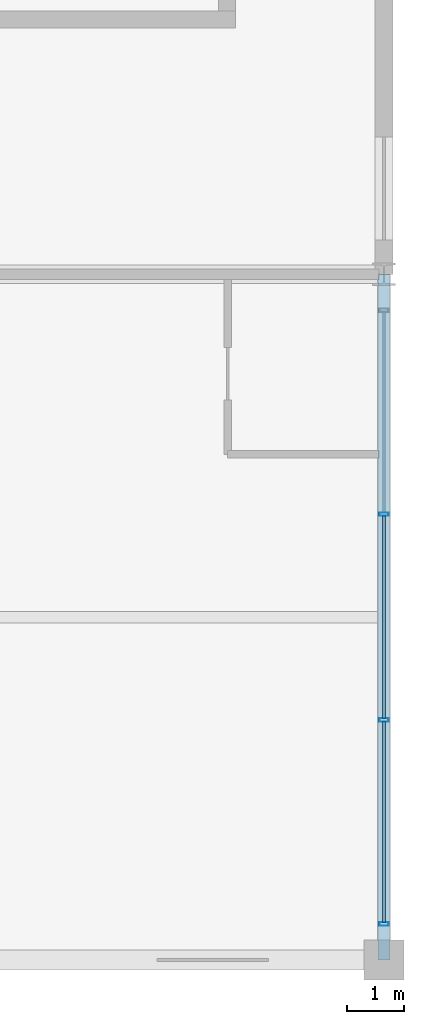
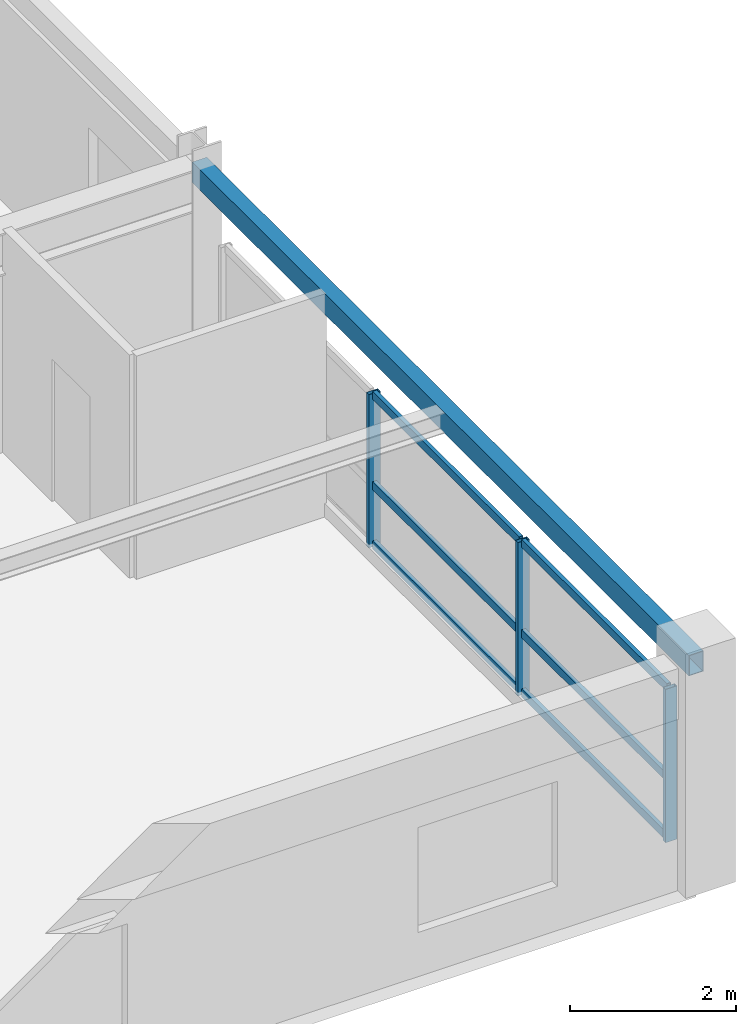
# One storey, part 10 of 22: 9 members, 1 beam, 1 element without a shape of its own.
"""IFC4 building model written with IfcOpenShell, lengths in metres."""

from ifc_helpers import new_model, si_unit, direction, frame, origin, origin_2d, place, context, subcontext, project, spatial, hollow_rectangle, extrude, material, material_profile, profile_set, type_object, element, aggregate, save


model = new_model("IFC4")

# Units and contexts
model_context = context("Model", 3, precision=1e-05, world=origin(), true_north=direction((0.0, 1.0)))
body_context = subcontext(model_context, "Body", "Model", "MODEL_VIEW")
ifc_project = project(units=[si_unit("LENGTHUNIT", "METRE"), si_unit("AREAUNIT", "SQUARE_METRE"), si_unit("VOLUMEUNIT", "CUBIC_METRE"), si_unit("PLANEANGLEUNIT", "RADIAN"), si_unit("MASSUNIT", "GRAM", prefix="KILO")], contexts=[model_context])

# Site, building, storey
site_placement = place(None, origin())
site = spatial("IfcSite", under=ifc_project, at=site_placement, CompositionType="ELEMENT")
building_placement = place(site_placement, origin())
building = spatial("IfcBuilding", under=site, at=building_placement, Name="Kaldorvane Square Convention Centre", CompositionType="ELEMENT")
storey_placement = place(building_placement, frame((0.0, 0.0, 63.600006103515625)))
storey = spatial("IfcBuildingStorey", under=building, at=storey_placement, Name="L15", CompositionType="ELEMENT", Elevation=63.600006103515625)

# Beam
ifc_material_1 = material(Name="Steel ASTM A500 Gr. C", Category="steel")
ifc_material_profile_1 = material_profile(ifc_material_1, hollow_rectangle(XDim=0.2032012939453125, YDim=0.3047943115234375, WallThickness=0.0088958740234375, at=origin_2d()), Name="HSS12X8X3/8")
ifc_profile_set_1 = profile_set([ifc_material_profile_1], Name="Steel ASTM A500 Gr. C")
beam_type = type_object("IfcBeamType", Name="BM-SP-HSS12", PredefinedType="SPANDREL", material=ifc_profile_set_1)
beam_placement = place(storey_placement, frame((78.0, 84.0, 3.1335906982421875), z_axis=(0.0, 1.0, 0.0), x_axis=(-1.0, 0.0, 0.0)))
element("IfcBeam", 1, at=beam_placement, inside=storey, type_object=beam_type, Name="End Spandrel (L15)", PredefinedType="SPANDREL", context=body_context, shape_type="SweptSolid", body=[
    extrude(hollow_rectangle(XDim=0.2032012939453125, YDim=0.3047943115234375, WallThickness=0.0088958740234375, at=origin_2d()), origin(), (0.0, 0.0, 1.0), 12.0),
])

# Curtain wall, members
ifc_material_2 = material(Name="Anodized Aluminum and Low-E Insulated Glazing", Category="aluminium")
curtain_wall_type = type_object("IfcCurtainWallType", Name="CW-UNI-HTL-A", PredefinedType="USERDEFINED", material=ifc_material_2)
curtain_wall_placement = place(storey_placement, origin())
curtain_wall = element("IfcCurtainWall", 2, at=curtain_wall_placement, inside=storey, type_object=curtain_wall_type, Name="Curtain Wall CW-10 (L15)", ObjectType="UNITISED GLAZING", PredefinedType="USERDEFINED")
ifc_material_profile_2 = material_profile(ifc_material_2, hollow_rectangle(XDim=0.05999755859375, YDim=0.160003662109375, WallThickness=0.003204345703125, at=origin_2d()), Name="CWM-160X60")
ifc_profile_set_2 = profile_set([ifc_material_profile_2], Name="Anodized Aluminum and Low-E Insulated Glazing")
member_type_1 = type_object("IfcMemberType", Name="CW-MUL-160", PredefinedType="MULLION", material=ifc_profile_set_2)
member_1_placement = place(storey_placement, frame((78.0, 84.6300048828125, 0.149993896484375), z_axis=(0.0, 0.0, 1.0), x_axis=(0.0, 1.0, 0.0)))
member_1 = element("IfcMember", 3, at=member_1_placement, type_object=member_type_1, Name="CW-10 mullion 1", PredefinedType="MULLION", context=body_context, shape_type="SweptSolid", body=[
    extrude(hollow_rectangle(XDim=0.05999755859375, YDim=0.160003662109375, WallThickness=0.003204345703125, at=origin_2d()), origin(), (0.0, 0.0, 1.0), 2.2599945068359375),
])
member_2_placement = place(storey_placement, frame((78.0, 88.19999694824219, 0.149993896484375), z_axis=(0.0, 0.0, 1.0), x_axis=(0.0, 1.0, 0.0)))
member_2 = element("IfcMember", 4, at=member_2_placement, type_object=member_type_1, Name="CW-10 mullion 2", PredefinedType="MULLION", context=body_context, shape_type="SweptSolid", body=[
    extrude(hollow_rectangle(XDim=0.05999755859375, YDim=0.160003662109375, WallThickness=0.003204345703125, at=origin_2d()), origin(), (0.0, 0.0, 1.0), 2.2599945068359375),
])
member_3_placement = place(storey_placement, frame((78.0, 91.80000305175781, 0.149993896484375), z_axis=(0.0, 0.0, 1.0), x_axis=(0.0, 1.0, 0.0)))
member_3 = element("IfcMember", 5, at=member_3_placement, type_object=member_type_1, Name="CW-10 mullion 3", PredefinedType="MULLION", context=body_context, shape_type="SweptSolid", body=[
    extrude(hollow_rectangle(XDim=0.05999755859375, YDim=0.160003662109375, WallThickness=0.003204345703125, at=origin_2d()), origin(), (0.0, 0.0, 1.0), 2.2599945068359375),
])
ifc_material_profile_3 = material_profile(ifc_material_2, hollow_rectangle(XDim=0.05499267578125, YDim=0.1199951171875, WallThickness=0.0030059814453125, at=origin_2d()), Name="CWT-120X55")
ifc_profile_set_3 = profile_set([ifc_material_profile_3], Name="Anodized Aluminum and Low-E Insulated Glazing")
member_type_2 = type_object("IfcMemberType", Name="CW-TRN-120", PredefinedType="USERDEFINED", material=ifc_profile_set_3)
member_4_placement = place(storey_placement, frame((78.0, 84.66000366210938, 0.177490234375), z_axis=(0.0, 1.0, 0.0), x_axis=(-1.0, 0.0, 0.0)))
member_4 = element("IfcMember", 6, at=member_4_placement, type_object=member_type_2, Name="CW-10 transom 1.1", ObjectType="TRANSOM", PredefinedType="USERDEFINED", context=body_context, shape_type="SweptSolid", body=[
    extrude(hollow_rectangle(XDim=0.05499267578125, YDim=0.1199951171875, WallThickness=0.0030059814453125, at=origin_2d()), origin(), (0.0, 0.0, 1.0), 3.5099945068359375),
])
member_5_placement = place(storey_placement, frame((78.0, 84.66000366210938, 1.04998779296875), z_axis=(0.0, 1.0, 0.0), x_axis=(-1.0, 0.0, 0.0)))
member_5 = element("IfcMember", 7, at=member_5_placement, type_object=member_type_2, Name="CW-10 transom 1.2", ObjectType="TRANSOM", PredefinedType="USERDEFINED", context=body_context, shape_type="SweptSolid", body=[
    extrude(hollow_rectangle(XDim=0.05499267578125, YDim=0.1199951171875, WallThickness=0.0030059814453125, at=origin_2d()), origin(), (0.0, 0.0, 1.0), 3.5099945068359375),
])
member_6_placement = place(storey_placement, frame((78.0, 84.66000366210938, 2.3824920654296875), z_axis=(0.0, 1.0, 0.0), x_axis=(-1.0, 0.0, 0.0)))
member_6 = element("IfcMember", 8, at=member_6_placement, type_object=member_type_2, Name="CW-10 transom 1.3", ObjectType="TRANSOM", PredefinedType="USERDEFINED", context=body_context, shape_type="SweptSolid", body=[
    extrude(hollow_rectangle(XDim=0.05499267578125, YDim=0.1199951171875, WallThickness=0.0030059814453125, at=origin_2d()), origin(), (0.0, 0.0, 1.0), 3.5099945068359375),
])
member_7_placement = place(storey_placement, frame((78.0, 88.22999572753906, 0.177490234375), z_axis=(0.0, 1.0, 0.0), x_axis=(-1.0, 0.0, 0.0)))
member_7 = element("IfcMember", 9, at=member_7_placement, type_object=member_type_2, Name="CW-10 transom 2.1", ObjectType="TRANSOM", PredefinedType="USERDEFINED", context=body_context, shape_type="SweptSolid", body=[
    extrude(hollow_rectangle(XDim=0.05499267578125, YDim=0.1199951171875, WallThickness=0.0030059814453125, at=origin_2d()), origin(), (0.0, 0.0, 1.0), 3.540008544921875),
])
member_8_placement = place(storey_placement, frame((78.0, 88.22999572753906, 1.04998779296875), z_axis=(0.0, 1.0, 0.0), x_axis=(-1.0, 0.0, 0.0)))
member_8 = element("IfcMember", 10, at=member_8_placement, type_object=member_type_2, Name="CW-10 transom 2.2", ObjectType="TRANSOM", PredefinedType="USERDEFINED", context=body_context, shape_type="SweptSolid", body=[
    extrude(hollow_rectangle(XDim=0.05499267578125, YDim=0.1199951171875, WallThickness=0.0030059814453125, at=origin_2d()), origin(), (0.0, 0.0, 1.0), 3.540008544921875),
])
member_9_placement = place(storey_placement, frame((78.0, 88.22999572753906, 2.3824920654296875), z_axis=(0.0, 1.0, 0.0), x_axis=(-1.0, 0.0, 0.0)))
member_9 = element("IfcMember", 11, at=member_9_placement, type_object=member_type_2, Name="CW-10 transom 2.3", ObjectType="TRANSOM", PredefinedType="USERDEFINED", context=body_context, shape_type="SweptSolid", body=[
    extrude(hollow_rectangle(XDim=0.05499267578125, YDim=0.1199951171875, WallThickness=0.0030059814453125, at=origin_2d()), origin(), (0.0, 0.0, 1.0), 3.540008544921875),
])
aggregate(curtain_wall, [member_1, member_2, member_3, member_4, member_5, member_6, member_7, member_8, member_9])

save(model, "model.ifc")
